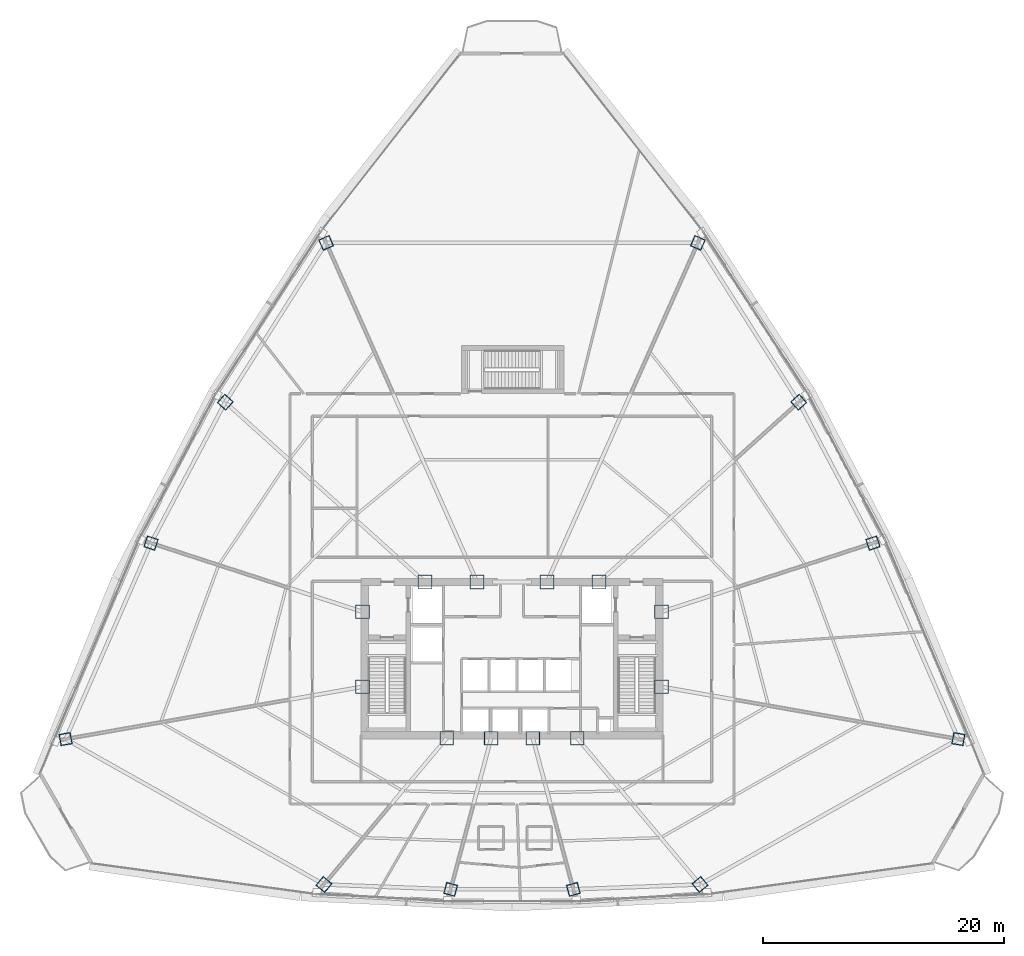
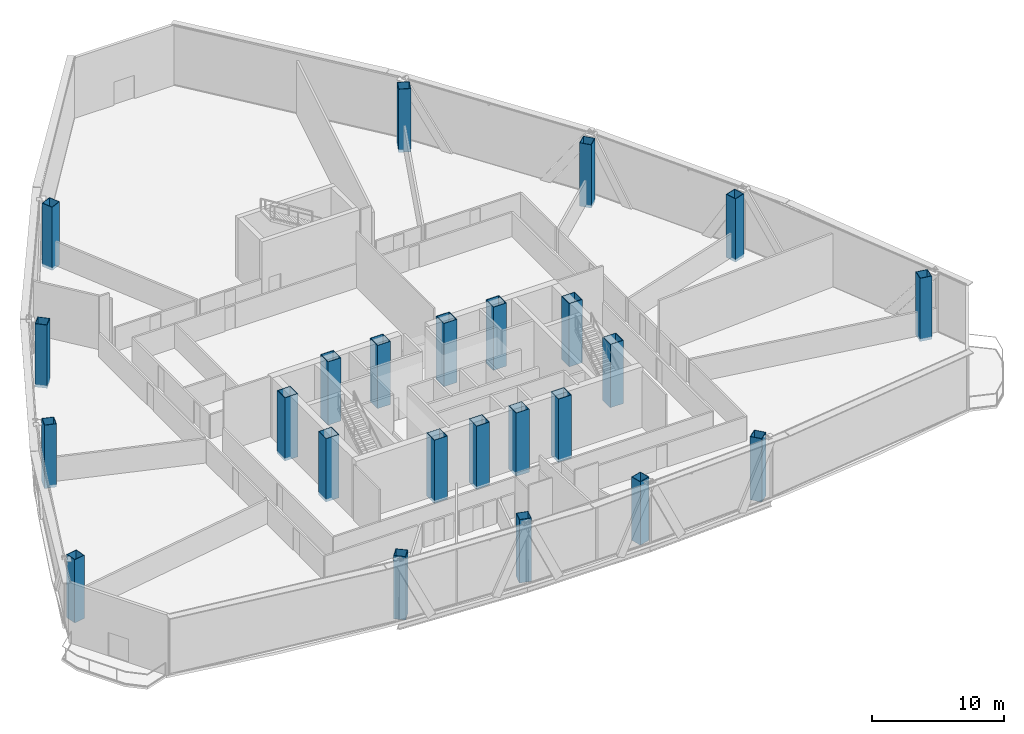
# One storey, part 1 of 40: 24 columns.
"""IFC4 building model written with IfcOpenShell, lengths in metres."""

from ifc_helpers import new_model, si_unit, direction, frame, origin, origin_2d, place, context, subcontext, project, spatial, hollow_rectangle, extrude, source, transform, mapped, material, material_profile, profile_set, type_object, element, save


model = new_model("IFC4")

# Units and contexts
model_context = context("Model", 3, precision=1e-05, world=origin(), true_north=direction((0.0, 1.0)))
body_context = subcontext(model_context, "Body", "Model", "MODEL_VIEW")
ifc_project = project(units=[si_unit("LENGTHUNIT", "METRE"), si_unit("AREAUNIT", "SQUARE_METRE"), si_unit("VOLUMEUNIT", "CUBIC_METRE"), si_unit("PLANEANGLEUNIT", "RADIAN"), si_unit("MASSUNIT", "GRAM", prefix="KILO"), si_unit("THERMODYNAMICTEMPERATUREUNIT", "KELVIN"), si_unit("POWERUNIT", "WATT")], contexts=[model_context])

# Site, building, storey
site_placement = place(None, origin())
site = spatial("IfcSite", under=ifc_project, at=site_placement, CompositionType="ELEMENT")
building_placement = place(site_placement, origin())
building = spatial("IfcBuilding", under=site, at=building_placement, Name="Yunzhuo Pagoda Commons", CompositionType="ELEMENT")
storey_placement = place(building_placement, frame((0.0, 0.0, 170.31005859375)))
storey = spatial("IfcBuildingStorey", under=building, at=storey_placement, Name="L43", CompositionType="ELEMENT", Elevation=170.31005859375)

# Columns
ifc_material = material(Name="Structural steel Q420B", Category="steel")
ifc_material_profile_1 = material_profile(ifc_material, hollow_rectangle(XDim=1.14990234375, YDim=1.14990234375, WallThickness=0.048095703125, at=origin_2d()), Name="Structural steel Q420B")
ifc_profile_set_1 = profile_set([ifc_material_profile_1], Name="Structural steel Q420B")
column_type_1 = type_object("IfcColumnType", Name="C-COR Column BOX 1150x1150x48", PredefinedType="COLUMN", material=ifc_profile_set_1)
shared_shape_1 = source(origin(), body_context, "Body", "SweptSolid", [
    extrude(hollow_rectangle(XDim=1.14990234375, YDim=1.14990234375, WallThickness=0.048095703125, at=origin_2d()), origin(), (0.0, 0.0, 1.0), 5.829833984375),
])
for number, where, z_axis, x_axis, name in (
    (1, (42.587890625, 27.25, -0.260009765625), (0.0, 0.0, 1.0), (1.0, 0.0, 0.0), "L43 core composite column F1C1"),
    (2, (46.27197265625, 27.25, -0.260009765625), (0.0, 0.0, 1.0), (1.0, 0.0, 0.0), "L43 core composite column F1C2"),
    (3, (49.728515625, 27.25, -0.260009765625), (0.0, 0.0, 1.0), (1.0, 0.0, 0.0), "L43 core composite column F1C3"),
    (4, (53.412109375, 27.25, -0.260009765625), (0.0, 0.0, 1.0), (1.0, 0.0, 0.0), "L43 core composite column F1C4"),
    (5, (60.39990234375, 31.513427734375, -0.260009765625), (0.0, 0.0, 1.0), (1.0, 0.0, 0.0), "L43 core composite column F2C1"),
    (6, (60.39990234375, 37.72900390625, -0.260009765625), (0.0, 0.0, 1.0), (1.0, 0.0, 0.0), "L43 core composite column F2C2"),
    (7, (55.218994140625, 40.199951171875, -0.260009765625), (0.0, 0.0, 1.0), (1.0, 0.0, 0.0), "L43 core composite column F2C3"),
    (8, (50.89404296875, 40.199951171875, -0.260009765625), (0.0, 0.0, 1.0), (1.0, 0.0, 0.0), "L43 core composite column F2C4"),
    (9, (45.10595703125, 40.199951171875, -0.260009765625), (0.0, 0.0, 1.0), (1.0, 0.0, 0.0), "L43 core composite column F3C1"),
    (10, (40.781005859375, 40.199951171875, -0.260009765625), (0.0, 0.0, 1.0), (1.0, 0.0, 0.0), "L43 core composite column F3C2"),
    (11, (35.60009765625, 37.72900390625, -0.260009765625), (0.0, 0.0, 1.0), (1.0, 0.0, 0.0), "L43 core composite column F3C3"),
    (12, (35.60009765625, 31.513427734375, -0.260009765625), (0.0, 0.0, 1.0), (1.0, 0.0, 0.0), "L43 core composite column F3C4"),
):
    element("IfcColumn", number, at=place(storey_placement, frame(where, z_axis=z_axis, x_axis=x_axis)), inside=storey, type_object=column_type_1, Name=name, PredefinedType="COLUMN", context=body_context, shape_type="MappedRepresentation", body=[
        mapped(shared_shape_1, transform((0.0, 0.0, 0.0), scale=1.0)),
    ])
ifc_material_profile_2 = material_profile(ifc_material, hollow_rectangle(XDim=0.949951171875, YDim=0.949951171875, WallThickness=0.0400390625, at=origin_2d()), Name="Structural steel Q420B")
ifc_profile_set_2 = profile_set([ifc_material_profile_2], Name="Structural steel Q420B")
column_type_2 = type_object("IfcColumnType", Name="C-Z3 Column BOX 950x950x40", PredefinedType="COLUMN", material=ifc_profile_set_2)
shared_shape_2 = source(origin(), body_context, "Body", "SweptSolid", [
    extrude(hollow_rectangle(XDim=0.949951171875, YDim=0.949951171875, WallThickness=0.0400390625, at=origin_2d()), origin(), (0.0, 0.0, 1.0), 5.829833984375),
])
for number, where, z_axis, x_axis, name in (
    (13, (32.414794921875, 15.126220703125, -0.260009765625), (0.0, 0.0, 1.0), (0.766044443119, -0.642787609687, 0.0), "L43 tower column F1C1"),
    (14, (42.914794921875, 14.7216796875, -0.260009765625), (0.0, 0.0, 1.0), (0.965925826289, -0.258819045103, 0.0), "L43 tower column F1C2"),
    (15, (53.085205078125, 14.7216796875, -0.260009765625), (0.0, 0.0, 1.0), (0.965925826289, 0.258819045103, 0.0), "L43 tower column F1C3"),
    (16, (63.585205078125, 15.126220703125, -0.260009765625), (0.0, 0.0, 1.0), (0.766044443119, 0.642787609687, 0.0), "L43 tower column F1C4"),
    (17, (84.9970703125, 27.176513671875, -0.260009765625), (0.0, 0.0, 1.0), (0.173648177667, 0.984807753012, 0.0), "L43 tower column F2C1"),
    (18, (77.915283203125, 43.420166015625, -0.260009765625), (0.0, 0.0, 1.0), (-0.309016994375, 0.951056516295, 0.0), "L43 tower column F2C2"),
    (19, (71.76611328125, 55.09912109375, -0.260009765625), (0.0, 0.0, 1.0), (-0.669130606359, 0.743144825477, 0.0), "L43 tower column F2C3"),
    (20, (63.406005859375, 68.302734375, -0.260009765625), (0.0, 0.0, 1.0), (-0.913545457643, 0.406736643076, 0.0), "L43 tower column F2C4"),
    (21, (32.593994140625, 68.302734375, -0.260009765625), (0.0, 0.0, 1.0), (-0.913545457643, -0.406736643076, 0.0), "L43 tower column F3C1"),
    (22, (24.23388671875, 55.09912109375, -0.260009765625), (0.0, 0.0, 1.0), (-0.669130606359, -0.743144825477, 0.0), "L43 tower column F3C2"),
    (23, (18.084716796875, 43.420166015625, -0.260009765625), (0.0, 0.0, 1.0), (-0.309016994375, -0.951056516295, 0.0), "L43 tower column F3C3"),
    (24, (11.0029296875, 27.176513671875, -0.260009765625), (0.0, 0.0, 1.0), (0.173648177667, -0.984807753012, 0.0), "L43 tower column F3C4"),
):
    element("IfcColumn", number, at=place(storey_placement, frame(where, z_axis=z_axis, x_axis=x_axis)), inside=storey, type_object=column_type_2, Name=name, PredefinedType="COLUMN", context=body_context, shape_type="MappedRepresentation", body=[
        mapped(shared_shape_2, transform((0.0, 0.0, 0.0), scale=1.0)),
    ])

save(model, "model.ifc")
